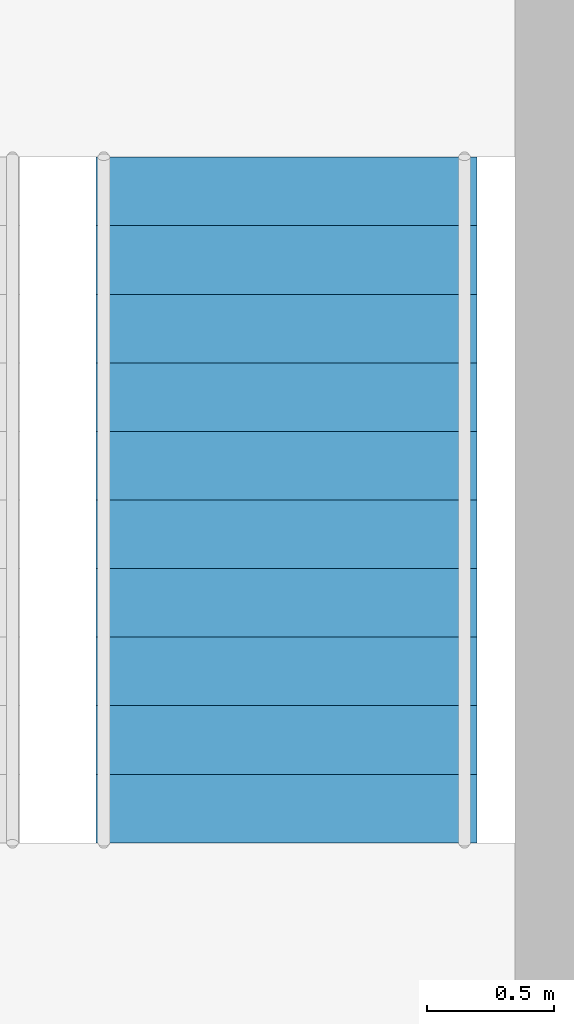
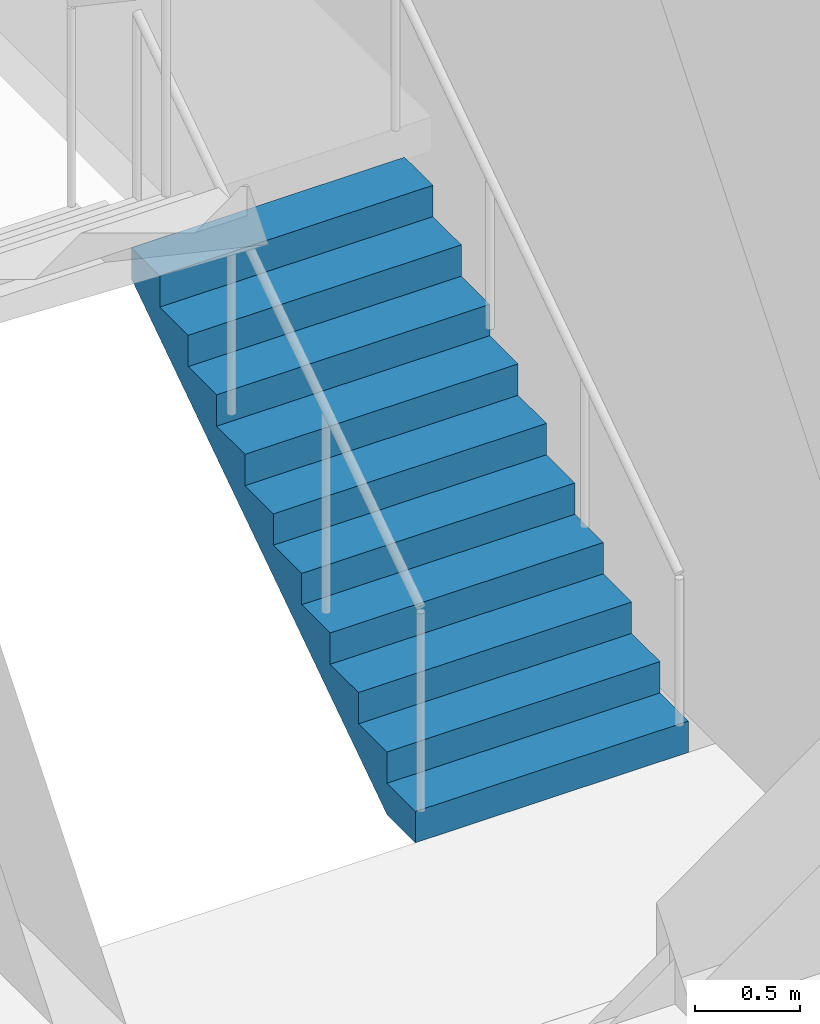
# One storey, part 14 of 15: 1 stair flight, 1 element without a shape of its own.
"""IFC4 building model written with IfcOpenShell, lengths in metres."""

from ifc_helpers import new_model, si_unit, direction, frame, origin, place, context, subcontext, project, spatial, polyline, outline, extrude, material, type_object, element, aggregate, save


model = new_model("IFC4")

# Units and contexts
model_context = context("Model", 3, precision=1e-05, world=origin(), true_north=direction((0.0, 1.0)))
body_context = subcontext(model_context, "Body", "Model", "MODEL_VIEW")
ifc_project = project(units=[si_unit("LENGTHUNIT", "METRE"), si_unit("AREAUNIT", "SQUARE_METRE"), si_unit("VOLUMEUNIT", "CUBIC_METRE"), si_unit("PLANEANGLEUNIT", "RADIAN"), si_unit("MASSUNIT", "GRAM", prefix="KILO")], contexts=[model_context])

# Site, building, storey
site_placement = place(None, origin())
site = spatial("IfcSite", under=ifc_project, at=site_placement, CompositionType="ELEMENT")
building_placement = place(site_placement, origin())
building = spatial("IfcBuilding", under=site, at=building_placement, Name="Peilmerk Tower", CompositionType="ELEMENT")
storey_placement = place(building_placement, frame((0.0, 0.0, 237.800048828125)))
storey = spatial("IfcBuildingStorey", under=building, at=storey_placement, Name="L52", CompositionType="ELEMENT", Elevation=237.800048828125)

# Stair, stair flight
ifc_material = material(Name="Precast concrete C45/55", Category="concrete")
stair_type = type_object("IfcStairType", Name="ST2 22 risers of 181.8", PredefinedType="HALF_TURN_STAIR", material=ifc_material)
stair_placement = place(storey_placement, origin())
stair = element("IfcStair", 1, at=stair_placement, inside=storey, type_object=stair_type, Name="Stair 2 L52 to L53", PredefinedType="HALF_TURN_STAIR")
stair_flight_type = type_object("IfcStairFlightType", Name="SF11 flight, 11 risers of 181.8", PredefinedType="STRAIGHT", material=ifc_material)
stair_flight_placement = place(storey_placement, frame((9.60009765625, -2.89990234375, 0.0), z_axis=(0.0, 0.0, 1.0), x_axis=(0.0, 1.0, 0.0)))
stair_flight = element("IfcStairFlight", 2, at=stair_flight_placement, type_object=stair_flight_type, Name="ST2 flight 1", NumberOfRisers=11, NumberOfTreads=10, PredefinedType="STRAIGHT", RiserHeight=0.181818182, TreadLength=0.27, context=body_context, shape_type="SweptSolid", body=[
    extrude(outline(polyline([(0.0, 0.0), (0.0, 0.181884765625), (0.27001953125, 0.181884765625), (0.27001953125, 0.363525390625), (0.5400390625, 0.363525390625), (0.5400390625, 0.54541015625), (0.81005859375, 0.54541015625), (0.81005859375, 0.727294921875), (1.080078125, 0.727294921875), (1.080078125, 0.9091796875), (1.35009765625, 0.9091796875), (1.35009765625, 1.0908203125), (1.6201171875, 1.0908203125), (1.6201171875, 1.272705078125), (1.889892578125, 1.272705078125), (1.889892578125, 1.45458984375), (2.159912109375, 1.45458984375), (2.159912109375, 1.636474609375), (2.429931640625, 1.636474609375), (2.429931640625, 1.818115234375), (2.699951171875, 1.818115234375), (2.699951171875, 2.0), (2.699951171875, 1.637451171875), (0.268310546875, 0.0), (0.0, 0.0)])), frame((0.0, 0.75, 0.0), z_axis=(0.0, -1.0, 0.0), x_axis=(1.0, 0.0, 0.0)), (0.0, 0.0, 1.0), 1.5),
])
aggregate(stair, [stair_flight])

save(model, "model.ifc")
